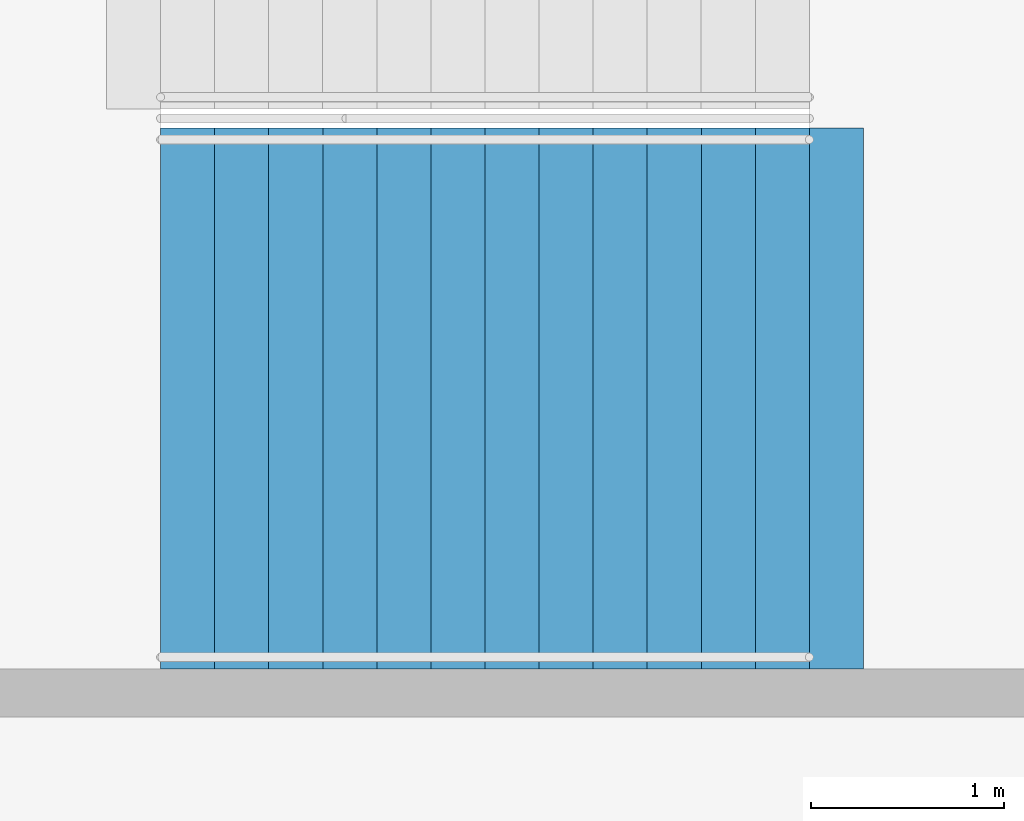
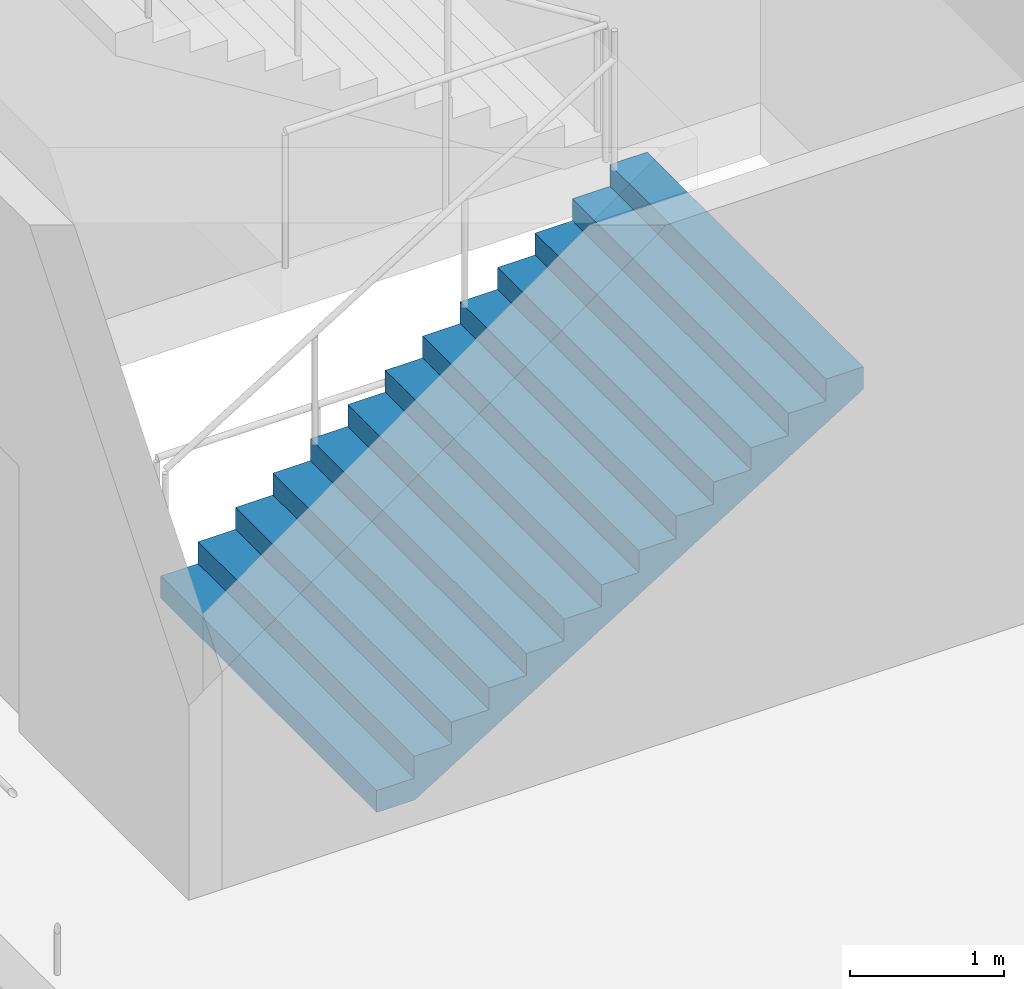
# One storey, part 123 of 177: 1 stair flight, 1 element without a shape of its own.
"""IFC4 building model written with IfcOpenShell, lengths in metres."""

from ifc_helpers import new_model, si_unit, direction, frame, origin, place, context, subcontext, project, spatial, faceted_brep, material, type_object, element, aggregate, save


model = new_model("IFC4")

# Units and contexts
model_context = context("Model", 3, precision=1e-05, world=origin(), true_north=direction((0.0, 1.0)))
body_context = subcontext(model_context, "Body", "Model", "MODEL_VIEW")
ifc_project = project(units=[si_unit("LENGTHUNIT", "METRE"), si_unit("AREAUNIT", "SQUARE_METRE"), si_unit("VOLUMEUNIT", "CUBIC_METRE"), si_unit("PLANEANGLEUNIT", "RADIAN"), si_unit("MASSUNIT", "GRAM", prefix="KILO")], contexts=[model_context])

# Site, building, storey
site_placement = place(None, origin())
site = spatial("IfcSite", under=ifc_project, at=site_placement, CompositionType="ELEMENT")
building_placement = place(site_placement, origin())
building = spatial("IfcBuilding", under=site, at=building_placement, Name="Ogive Plaza Stadium", CompositionType="ELEMENT")
storey_placement = place(building_placement, frame((0.0, 0.0, 18.0)))
storey = spatial("IfcBuildingStorey", under=building, at=storey_placement, Name="L04", CompositionType="ELEMENT", Elevation=18.0)

# Stair, stair flight
ifc_material_1 = material(Name="Concrete C40/50", Category="concrete")
stair_type = type_object("IfcStairType", Name="Exit stair", PredefinedType="STRAIGHT_RUN_STAIR", material=ifc_material_1)
stair_placement = place(storey_placement, origin())
stair = element("IfcStair", 1, at=stair_placement, inside=storey, type_object=stair_type, Name="Exit stair ST06A L04 to L05", PredefinedType="STRAIGHT_RUN_STAIR")
ifc_material_2 = material(Name="Concrete C40/50", Category="concrete")
stair_flight_type = type_object("IfcStairFlightType", Name="Exit stair flight", PredefinedType="STRAIGHT", material=ifc_material_2)
stair_flight_placement = place(storey_placement, frame((76.35009765625, -26.925048828125, 0.0), z_axis=(0.0, 0.0, 1.0), x_axis=(1.0, 0.0, 0.0)))
stair_flight = element("IfcStairFlight", 2, at=stair_flight_placement, type_object=stair_flight_type, Name="ST06A flight 1", NumberOfRisers=13, NumberOfTreads=12, PredefinedType="STRAIGHT", RiserHeight=0.173076923, TreadLength=0.28, context=body_context, shape_type="Brep", body=[
    faceted_brep([(0.28515625, -1.39990234375, 0.0), (3.639892578125, -1.39990234375, 2.07373046875), (3.639892578125, -1.39990234375, 2.25), (3.360107421875, -1.39990234375, 2.25), (3.360107421875, -1.39990234375, 2.076904296875), (3.080078125, -1.39990234375, 2.076904296875), (3.080078125, -1.39990234375, 1.90380859375), (2.800048828125, -1.39990234375, 1.90380859375), (2.800048828125, -1.39990234375, 1.730712890625), (2.52001953125, -1.39990234375, 1.730712890625), (2.52001953125, -1.39990234375, 1.5576171875), (2.239990234375, -1.39990234375, 1.5576171875), (2.239990234375, -1.39990234375, 1.384521484375), (1.9599609375, -1.39990234375, 1.384521484375), (1.9599609375, -1.39990234375, 1.21142578125), (1.679931640625, -1.39990234375, 1.21142578125), (1.679931640625, -1.39990234375, 1.03857421875), (1.39990234375, -1.39990234375, 1.03857421875), (1.39990234375, -1.39990234375, 0.865478515625), (1.1201171875, -1.39990234375, 0.865478515625), (1.1201171875, -1.39990234375, 0.6923828125), (0.840087890625, -1.39990234375, 0.6923828125), (0.840087890625, -1.39990234375, 0.519287109375), (0.56005859375, -1.39990234375, 0.519287109375), (0.56005859375, -1.39990234375, 0.34619140625), (0.280029296875, -1.39990234375, 0.34619140625), (0.280029296875, -1.39990234375, 0.173095703125), (0.0, -1.39990234375, 0.173095703125), (0.0, -1.39990234375, 0.0), (0.0, 1.39990234375, 0.0), (0.0, 1.39990234375, 0.173095703125), (0.280029296875, 1.39990234375, 0.173095703125), (0.280029296875, 1.39990234375, 0.34619140625), (0.56005859375, 1.39990234375, 0.34619140625), (0.56005859375, 1.39990234375, 0.519287109375), (0.840087890625, 1.39990234375, 0.519287109375), (0.840087890625, 1.39990234375, 0.6923828125), (1.1201171875, 1.39990234375, 0.6923828125), (1.1201171875, 1.39990234375, 0.865478515625), (1.39990234375, 1.39990234375, 0.865478515625), (1.39990234375, 1.39990234375, 1.03857421875), (1.679931640625, 1.39990234375, 1.03857421875), (1.679931640625, 1.39990234375, 1.21142578125), (1.9599609375, 1.39990234375, 1.21142578125), (1.9599609375, 1.39990234375, 1.384521484375), (2.239990234375, 1.39990234375, 1.384521484375), (2.239990234375, 1.39990234375, 1.5576171875), (2.52001953125, 1.39990234375, 1.5576171875), (2.52001953125, 1.39990234375, 1.730712890625), (2.800048828125, 1.39990234375, 1.730712890625), (2.800048828125, 1.39990234375, 1.90380859375), (3.080078125, 1.39990234375, 1.90380859375), (3.080078125, 1.39990234375, 2.076904296875), (3.360107421875, 1.39990234375, 2.076904296875), (3.360107421875, 1.39990234375, 2.25), (3.639892578125, 1.39990234375, 2.25), (3.639892578125, 1.39990234375, 2.07373046875), (0.28515625, 1.39990234375, 0.0), (0.28515625, -1.0888671875, 0.0), (3.639892578125, -1.0888671875, 2.07373046875), (0.28515625, -0.77783203125, 0.0), (3.639892578125, -0.77783203125, 2.07373046875), (0.28515625, -0.466796875, 0.0), (3.639892578125, -0.466796875, 2.07373046875), (0.28515625, -0.155517578125, 0.0), (3.639892578125, -0.155517578125, 2.07373046875), (0.28515625, 0.155517578125, 0.0), (3.639892578125, 0.155517578125, 2.07373046875), (0.28515625, 0.466796875, 0.0), (3.639892578125, 0.466796875, 2.07373046875), (0.28515625, 0.77783203125, 0.0), (3.639892578125, 0.77783203125, 2.07373046875), (0.28515625, 1.0888671875, 0.0), (3.639892578125, 1.0888671875, 2.07373046875), (3.639892578125, -1.0888671875, 2.25), (3.639892578125, -0.77783203125, 2.25), (3.639892578125, -0.466796875, 2.25), (3.639892578125, -0.155517578125, 2.25), (3.639892578125, 0.155517578125, 2.25), (3.639892578125, 0.466796875, 2.25), (3.639892578125, 0.77783203125, 2.25), (3.639892578125, 1.0888671875, 2.25), (3.360107421875, -1.0888671875, 2.25), (3.360107421875, -0.77783203125, 2.25), (3.360107421875, -0.466796875, 2.25), (3.360107421875, -0.155517578125, 2.25), (3.360107421875, 0.155517578125, 2.25), (3.360107421875, 0.466796875, 2.25), (3.360107421875, 0.77783203125, 2.25), (3.360107421875, 1.0888671875, 2.25), (3.360107421875, -1.0888671875, 2.076904296875), (3.360107421875, -0.77783203125, 2.076904296875), (3.360107421875, -0.466796875, 2.076904296875), (3.360107421875, -0.155517578125, 2.076904296875), (3.360107421875, 0.155517578125, 2.076904296875), (3.360107421875, 0.466796875, 2.076904296875), (3.360107421875, 0.77783203125, 2.076904296875), (3.360107421875, 1.0888671875, 2.076904296875), (3.080078125, -1.0888671875, 2.076904296875), (3.080078125, -0.77783203125, 2.076904296875), (3.080078125, -0.466796875, 2.076904296875), (3.080078125, -0.155517578125, 2.076904296875), (3.080078125, 0.155517578125, 2.076904296875), (3.080078125, 0.466796875, 2.076904296875), (3.080078125, 0.77783203125, 2.076904296875), (3.080078125, 1.0888671875, 2.076904296875), (3.080078125, -1.0888671875, 1.90380859375), (3.080078125, -0.77783203125, 1.90380859375), (3.080078125, -0.466796875, 1.90380859375), (3.080078125, -0.155517578125, 1.90380859375), (3.080078125, 0.155517578125, 1.90380859375), (3.080078125, 0.466796875, 1.90380859375), (3.080078125, 0.77783203125, 1.90380859375), (3.080078125, 1.0888671875, 1.90380859375), (2.800048828125, -1.0888671875, 1.90380859375), (2.800048828125, -0.77783203125, 1.90380859375), (2.800048828125, -0.466796875, 1.90380859375), (2.800048828125, -0.155517578125, 1.90380859375), (2.800048828125, 0.155517578125, 1.90380859375), (2.800048828125, 0.466796875, 1.90380859375), (2.800048828125, 0.77783203125, 1.90380859375), (2.800048828125, 1.0888671875, 1.90380859375), (2.800048828125, -1.0888671875, 1.730712890625), (2.800048828125, -0.77783203125, 1.730712890625), (2.800048828125, -0.466796875, 1.730712890625), (2.800048828125, -0.155517578125, 1.730712890625), (2.800048828125, 0.155517578125, 1.730712890625), (2.800048828125, 0.466796875, 1.730712890625), (2.800048828125, 0.77783203125, 1.730712890625), (2.800048828125, 1.0888671875, 1.730712890625), (2.52001953125, -1.0888671875, 1.730712890625), (2.52001953125, -0.77783203125, 1.730712890625), (2.52001953125, -0.466796875, 1.730712890625), (2.52001953125, -0.155517578125, 1.730712890625), (2.52001953125, 0.155517578125, 1.730712890625), (2.52001953125, 0.466796875, 1.730712890625), (2.52001953125, 0.77783203125, 1.730712890625), (2.52001953125, 1.0888671875, 1.730712890625), (2.52001953125, -1.0888671875, 1.5576171875), (2.52001953125, -0.77783203125, 1.5576171875), (2.52001953125, -0.466796875, 1.5576171875), (2.52001953125, -0.155517578125, 1.5576171875), (2.52001953125, 0.155517578125, 1.5576171875), (2.52001953125, 0.466796875, 1.5576171875), (2.52001953125, 0.77783203125, 1.5576171875), (2.52001953125, 1.0888671875, 1.5576171875), (2.239990234375, -1.0888671875, 1.5576171875), (2.239990234375, -0.77783203125, 1.5576171875), (2.239990234375, -0.466796875, 1.5576171875), (2.239990234375, -0.155517578125, 1.5576171875), (2.239990234375, 0.155517578125, 1.5576171875), (2.239990234375, 0.466796875, 1.5576171875), (2.239990234375, 0.77783203125, 1.5576171875), (2.239990234375, 1.0888671875, 1.5576171875), (2.239990234375, -1.0888671875, 1.384521484375), (2.239990234375, -0.77783203125, 1.384521484375), (2.239990234375, -0.466796875, 1.384521484375), (2.239990234375, -0.155517578125, 1.384521484375), (2.239990234375, 0.155517578125, 1.384521484375), (2.239990234375, 0.466796875, 1.384521484375), (2.239990234375, 0.77783203125, 1.384521484375), (2.239990234375, 1.0888671875, 1.384521484375), (1.9599609375, -1.0888671875, 1.384521484375), (1.9599609375, -0.77783203125, 1.384521484375), (1.9599609375, -0.466796875, 1.384521484375), (1.9599609375, -0.155517578125, 1.384521484375), (1.9599609375, 0.155517578125, 1.384521484375), (1.9599609375, 0.466796875, 1.384521484375), (1.9599609375, 0.77783203125, 1.384521484375), (1.9599609375, 1.0888671875, 1.384521484375), (1.9599609375, -1.0888671875, 1.21142578125), (1.9599609375, -0.77783203125, 1.21142578125), (1.9599609375, -0.466796875, 1.21142578125), (1.9599609375, -0.155517578125, 1.21142578125), (1.9599609375, 0.155517578125, 1.21142578125), (1.9599609375, 0.466796875, 1.21142578125), (1.9599609375, 0.77783203125, 1.21142578125), (1.9599609375, 1.0888671875, 1.21142578125), (1.679931640625, -1.0888671875, 1.21142578125), (1.679931640625, -0.77783203125, 1.21142578125), (1.679931640625, -0.466796875, 1.21142578125), (1.679931640625, -0.155517578125, 1.21142578125), (1.679931640625, 0.155517578125, 1.21142578125), (1.679931640625, 0.466796875, 1.21142578125), (1.679931640625, 0.77783203125, 1.21142578125), (1.679931640625, 1.0888671875, 1.21142578125), (1.679931640625, -1.0888671875, 1.03857421875), (1.679931640625, -0.77783203125, 1.03857421875), (1.679931640625, -0.466796875, 1.03857421875), (1.679931640625, -0.155517578125, 1.03857421875), (1.679931640625, 0.155517578125, 1.03857421875), (1.679931640625, 0.466796875, 1.03857421875), (1.679931640625, 0.77783203125, 1.03857421875), (1.679931640625, 1.0888671875, 1.03857421875), (1.39990234375, -1.0888671875, 1.03857421875), (1.39990234375, -0.77783203125, 1.03857421875), (1.39990234375, -0.466796875, 1.03857421875), (1.39990234375, -0.155517578125, 1.03857421875), (1.39990234375, 0.155517578125, 1.03857421875), (1.39990234375, 0.466796875, 1.03857421875), (1.39990234375, 0.77783203125, 1.03857421875), (1.39990234375, 1.0888671875, 1.03857421875), (1.39990234375, -1.0888671875, 0.865478515625), (1.39990234375, -0.77783203125, 0.865478515625), (1.39990234375, -0.466796875, 0.865478515625), (1.39990234375, -0.155517578125, 0.865478515625), (1.39990234375, 0.155517578125, 0.865478515625), (1.39990234375, 0.466796875, 0.865478515625), (1.39990234375, 0.77783203125, 0.865478515625), (1.39990234375, 1.0888671875, 0.865478515625), (1.1201171875, -1.0888671875, 0.865478515625), (1.1201171875, -0.77783203125, 0.865478515625), (1.1201171875, -0.466796875, 0.865478515625), (1.1201171875, -0.155517578125, 0.865478515625), (1.1201171875, 0.155517578125, 0.865478515625), (1.1201171875, 0.466796875, 0.865478515625), (1.1201171875, 0.77783203125, 0.865478515625), (1.1201171875, 1.0888671875, 0.865478515625), (1.1201171875, -1.0888671875, 0.6923828125), (1.1201171875, -0.77783203125, 0.6923828125), (1.1201171875, -0.466796875, 0.6923828125), (1.1201171875, -0.155517578125, 0.6923828125), (1.1201171875, 0.155517578125, 0.6923828125), (1.1201171875, 0.466796875, 0.6923828125), (1.1201171875, 0.77783203125, 0.6923828125), (1.1201171875, 1.0888671875, 0.6923828125), (0.840087890625, -1.0888671875, 0.6923828125), (0.840087890625, -0.77783203125, 0.6923828125), (0.840087890625, -0.466796875, 0.6923828125), (0.840087890625, -0.155517578125, 0.6923828125), (0.840087890625, 0.155517578125, 0.6923828125), (0.840087890625, 0.466796875, 0.6923828125), (0.840087890625, 0.77783203125, 0.6923828125), (0.840087890625, 1.0888671875, 0.6923828125), (0.840087890625, -1.0888671875, 0.519287109375), (0.840087890625, -0.77783203125, 0.519287109375), (0.840087890625, -0.466796875, 0.519287109375), (0.840087890625, -0.155517578125, 0.519287109375), (0.840087890625, 0.155517578125, 0.519287109375), (0.840087890625, 0.466796875, 0.519287109375), (0.840087890625, 0.77783203125, 0.519287109375), (0.840087890625, 1.0888671875, 0.519287109375), (0.56005859375, -1.0888671875, 0.519287109375), (0.56005859375, -0.77783203125, 0.519287109375), (0.56005859375, -0.466796875, 0.519287109375), (0.56005859375, -0.155517578125, 0.519287109375), (0.56005859375, 0.155517578125, 0.519287109375), (0.56005859375, 0.466796875, 0.519287109375), (0.56005859375, 0.77783203125, 0.519287109375), (0.56005859375, 1.0888671875, 0.519287109375), (0.56005859375, -1.0888671875, 0.34619140625), (0.56005859375, -0.77783203125, 0.34619140625), (0.56005859375, -0.466796875, 0.34619140625), (0.56005859375, -0.155517578125, 0.34619140625), (0.56005859375, 0.155517578125, 0.34619140625), (0.56005859375, 0.466796875, 0.34619140625), (0.56005859375, 0.77783203125, 0.34619140625), (0.56005859375, 1.0888671875, 0.34619140625), (0.280029296875, -1.0888671875, 0.34619140625), (0.280029296875, -0.77783203125, 0.34619140625), (0.280029296875, -0.466796875, 0.34619140625), (0.280029296875, -0.155517578125, 0.34619140625), (0.280029296875, 0.155517578125, 0.34619140625), (0.280029296875, 0.466796875, 0.34619140625), (0.280029296875, 0.77783203125, 0.34619140625), (0.280029296875, 1.0888671875, 0.34619140625), (0.280029296875, -1.0888671875, 0.173095703125), (0.280029296875, -0.77783203125, 0.173095703125), (0.280029296875, -0.466796875, 0.173095703125), (0.280029296875, -0.155517578125, 0.173095703125), (0.280029296875, 0.155517578125, 0.173095703125), (0.280029296875, 0.466796875, 0.173095703125), (0.280029296875, 0.77783203125, 0.173095703125), (0.280029296875, 1.0888671875, 0.173095703125), (0.0, -1.0888671875, 0.173095703125), (0.0, -0.77783203125, 0.173095703125), (0.0, -0.466796875, 0.173095703125), (0.0, -0.155517578125, 0.173095703125), (0.0, 0.155517578125, 0.173095703125), (0.0, 0.466796875, 0.173095703125), (0.0, 0.77783203125, 0.173095703125), (0.0, 1.0888671875, 0.173095703125), (0.0, -1.0888671875, 0.0), (0.0, -0.77783203125, 0.0), (0.0, -0.466796875, 0.0), (0.0, -0.155517578125, 0.0), (0.0, 0.155517578125, 0.0), (0.0, 0.466796875, 0.0), (0.0, 0.77783203125, 0.0), (0.0, 1.0888671875, 0.0)], [[[0, 1, 2, 3, 4, 5, 6, 7, 8, 9, 10, 11, 12, 13, 14, 15, 16, 17, 18, 19, 20, 21, 22, 23, 24, 25, 26, 27, 28]], [[29, 30, 31, 32, 33, 34, 35, 36, 37, 38, 39, 40, 41, 42, 43, 44, 45, 46, 47, 48, 49, 50, 51, 52, 53, 54, 55, 56, 57]], [[0, 58, 59, 1]], [[58, 60, 61, 59]], [[60, 62, 63, 61]], [[62, 64, 65, 63]], [[64, 66, 67, 65]], [[66, 68, 69, 67]], [[68, 70, 71, 69]], [[70, 72, 73, 71]], [[72, 57, 56, 73]], [[1, 59, 74, 2]], [[59, 61, 75, 74]], [[61, 63, 76, 75]], [[63, 65, 77, 76]], [[65, 67, 78, 77]], [[67, 69, 79, 78]], [[69, 71, 80, 79]], [[71, 73, 81, 80]], [[73, 56, 55, 81]], [[2, 74, 82, 3]], [[74, 75, 83, 82]], [[75, 76, 84, 83]], [[76, 77, 85, 84]], [[77, 78, 86, 85]], [[78, 79, 87, 86]], [[79, 80, 88, 87]], [[80, 81, 89, 88]], [[81, 55, 54, 89]], [[3, 82, 90, 4]], [[82, 83, 91, 90]], [[83, 84, 92, 91]], [[84, 85, 93, 92]], [[85, 86, 94, 93]], [[86, 87, 95, 94]], [[87, 88, 96, 95]], [[88, 89, 97, 96]], [[89, 54, 53, 97]], [[4, 90, 98, 5]], [[90, 91, 99, 98]], [[91, 92, 100, 99]], [[92, 93, 101, 100]], [[93, 94, 102, 101]], [[94, 95, 103, 102]], [[95, 96, 104, 103]], [[96, 97, 105, 104]], [[97, 53, 52, 105]], [[5, 98, 106, 6]], [[98, 99, 107, 106]], [[99, 100, 108, 107]], [[100, 101, 109, 108]], [[101, 102, 110, 109]], [[102, 103, 111, 110]], [[103, 104, 112, 111]], [[104, 105, 113, 112]], [[105, 52, 51, 113]], [[6, 106, 114, 7]], [[106, 107, 115, 114]], [[107, 108, 116, 115]], [[108, 109, 117, 116]], [[109, 110, 118, 117]], [[110, 111, 119, 118]], [[111, 112, 120, 119]], [[112, 113, 121, 120]], [[113, 51, 50, 121]], [[7, 114, 122, 8]], [[114, 115, 123, 122]], [[115, 116, 124, 123]], [[116, 117, 125, 124]], [[117, 118, 126, 125]], [[118, 119, 127, 126]], [[119, 120, 128, 127]], [[120, 121, 129, 128]], [[121, 50, 49, 129]], [[8, 122, 130, 9]], [[122, 123, 131, 130]], [[123, 124, 132, 131]], [[124, 125, 133, 132]], [[125, 126, 134, 133]], [[126, 127, 135, 134]], [[127, 128, 136, 135]], [[128, 129, 137, 136]], [[129, 49, 48, 137]], [[9, 130, 138, 10]], [[130, 131, 139, 138]], [[131, 132, 140, 139]], [[132, 133, 141, 140]], [[133, 134, 142, 141]], [[134, 135, 143, 142]], [[135, 136, 144, 143]], [[136, 137, 145, 144]], [[137, 48, 47, 145]], [[10, 138, 146, 11]], [[138, 139, 147, 146]], [[139, 140, 148, 147]], [[140, 141, 149, 148]], [[141, 142, 150, 149]], [[142, 143, 151, 150]], [[143, 144, 152, 151]], [[144, 145, 153, 152]], [[145, 47, 46, 153]], [[11, 146, 154, 12]], [[146, 147, 155, 154]], [[147, 148, 156, 155]], [[148, 149, 157, 156]], [[149, 150, 158, 157]], [[150, 151, 159, 158]], [[151, 152, 160, 159]], [[152, 153, 161, 160]], [[153, 46, 45, 161]], [[12, 154, 162, 13]], [[154, 155, 163, 162]], [[155, 156, 164, 163]], [[156, 157, 165, 164]], [[157, 158, 166, 165]], [[158, 159, 167, 166]], [[159, 160, 168, 167]], [[160, 161, 169, 168]], [[161, 45, 44, 169]], [[13, 162, 170, 14]], [[162, 163, 171, 170]], [[163, 164, 172, 171]], [[164, 165, 173, 172]], [[165, 166, 174, 173]], [[166, 167, 175, 174]], [[167, 168, 176, 175]], [[168, 169, 177, 176]], [[169, 44, 43, 177]], [[14, 170, 178, 15]], [[170, 171, 179, 178]], [[171, 172, 180, 179]], [[172, 173, 181, 180]], [[173, 174, 182, 181]], [[174, 175, 183, 182]], [[175, 176, 184, 183]], [[176, 177, 185, 184]], [[177, 43, 42, 185]], [[15, 178, 186, 16]], [[178, 179, 187, 186]], [[179, 180, 188, 187]], [[180, 181, 189, 188]], [[181, 182, 190, 189]], [[182, 183, 191, 190]], [[183, 184, 192, 191]], [[184, 185, 193, 192]], [[185, 42, 41, 193]], [[16, 186, 194, 17]], [[186, 187, 195, 194]], [[187, 188, 196, 195]], [[188, 189, 197, 196]], [[189, 190, 198, 197]], [[190, 191, 199, 198]], [[191, 192, 200, 199]], [[192, 193, 201, 200]], [[193, 41, 40, 201]], [[17, 194, 202, 18]], [[194, 195, 203, 202]], [[195, 196, 204, 203]], [[196, 197, 205, 204]], [[197, 198, 206, 205]], [[198, 199, 207, 206]], [[199, 200, 208, 207]], [[200, 201, 209, 208]], [[201, 40, 39, 209]], [[18, 202, 210, 19]], [[202, 203, 211, 210]], [[203, 204, 212, 211]], [[204, 205, 213, 212]], [[205, 206, 214, 213]], [[206, 207, 215, 214]], [[207, 208, 216, 215]], [[208, 209, 217, 216]], [[209, 39, 38, 217]], [[19, 210, 218, 20]], [[210, 211, 219, 218]], [[211, 212, 220, 219]], [[212, 213, 221, 220]], [[213, 214, 222, 221]], [[214, 215, 223, 222]], [[215, 216, 224, 223]], [[216, 217, 225, 224]], [[217, 38, 37, 225]], [[20, 218, 226, 21]], [[218, 219, 227, 226]], [[219, 220, 228, 227]], [[220, 221, 229, 228]], [[221, 222, 230, 229]], [[222, 223, 231, 230]], [[223, 224, 232, 231]], [[224, 225, 233, 232]], [[225, 37, 36, 233]], [[21, 226, 234, 22]], [[226, 227, 235, 234]], [[227, 228, 236, 235]], [[228, 229, 237, 236]], [[229, 230, 238, 237]], [[230, 231, 239, 238]], [[231, 232, 240, 239]], [[232, 233, 241, 240]], [[233, 36, 35, 241]], [[22, 234, 242, 23]], [[234, 235, 243, 242]], [[235, 236, 244, 243]], [[236, 237, 245, 244]], [[237, 238, 246, 245]], [[238, 239, 247, 246]], [[239, 240, 248, 247]], [[240, 241, 249, 248]], [[241, 35, 34, 249]], [[23, 242, 250, 24]], [[242, 243, 251, 250]], [[243, 244, 252, 251]], [[244, 245, 253, 252]], [[245, 246, 254, 253]], [[246, 247, 255, 254]], [[247, 248, 256, 255]], [[248, 249, 257, 256]], [[249, 34, 33, 257]], [[24, 250, 258, 25]], [[250, 251, 259, 258]], [[251, 252, 260, 259]], [[252, 253, 261, 260]], [[253, 254, 262, 261]], [[254, 255, 263, 262]], [[255, 256, 264, 263]], [[256, 257, 265, 264]], [[257, 33, 32, 265]], [[25, 258, 266, 26]], [[258, 259, 267, 266]], [[259, 260, 268, 267]], [[260, 261, 269, 268]], [[261, 262, 270, 269]], [[262, 263, 271, 270]], [[263, 264, 272, 271]], [[264, 265, 273, 272]], [[265, 32, 31, 273]], [[26, 266, 274, 27]], [[266, 267, 275, 274]], [[267, 268, 276, 275]], [[268, 269, 277, 276]], [[269, 270, 278, 277]], [[270, 271, 279, 278]], [[271, 272, 280, 279]], [[272, 273, 281, 280]], [[273, 31, 30, 281]], [[27, 274, 282, 28]], [[274, 275, 283, 282]], [[275, 276, 284, 283]], [[276, 277, 285, 284]], [[277, 278, 286, 285]], [[278, 279, 287, 286]], [[279, 280, 288, 287]], [[280, 281, 289, 288]], [[281, 30, 29, 289]], [[28, 282, 58, 0]], [[282, 283, 60, 58]], [[283, 284, 62, 60]], [[284, 285, 64, 62]], [[285, 286, 66, 64]], [[286, 287, 68, 66]], [[287, 288, 70, 68]], [[288, 289, 72, 70]], [[289, 29, 57, 72]]]),
])
aggregate(stair, [stair_flight])

save(model, "model.ifc")
